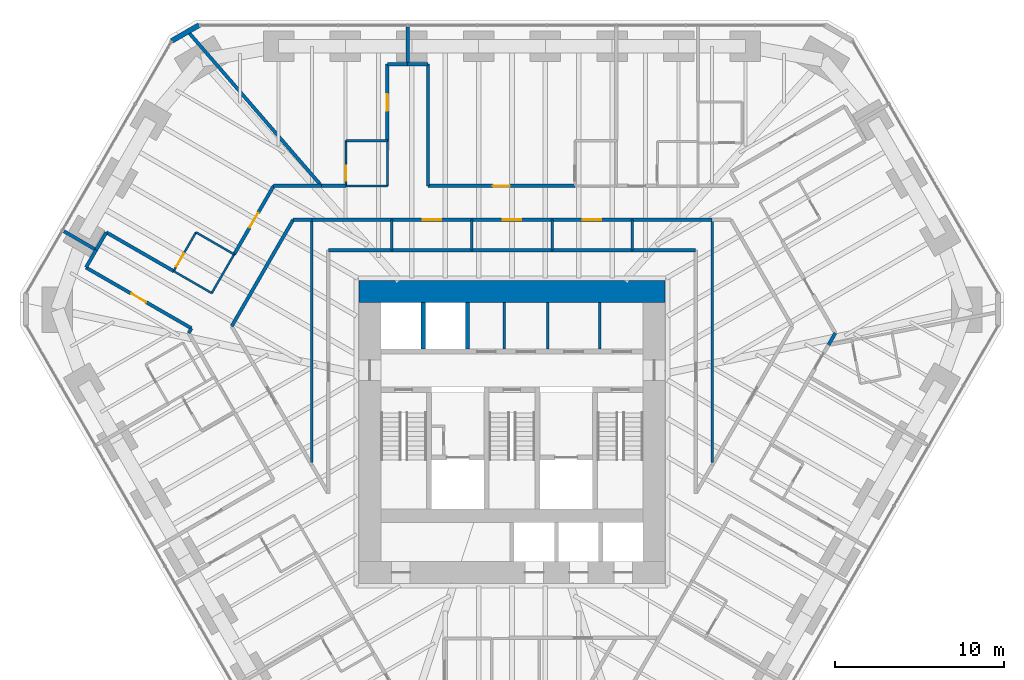
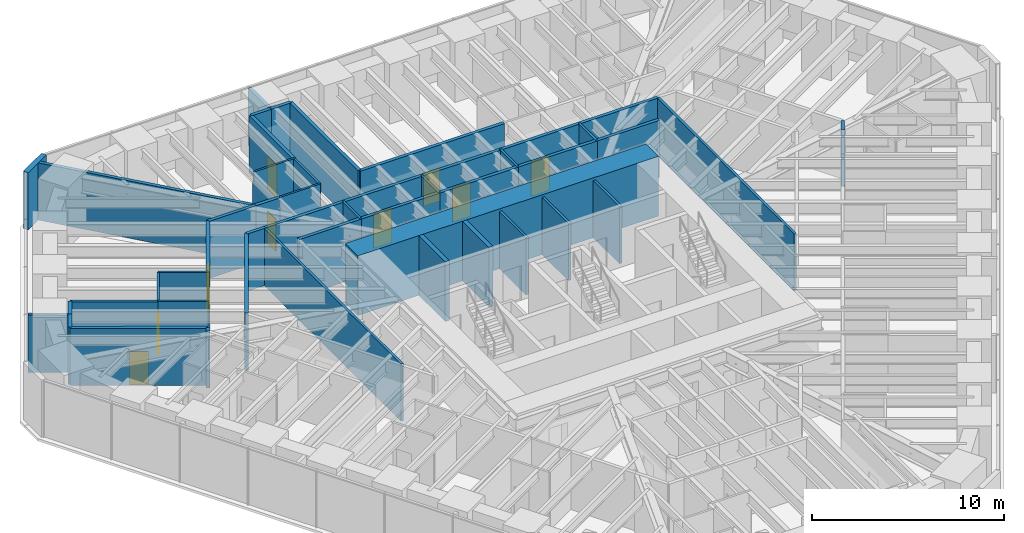
# One storey, part 14 of 17: 50 walls, 9 doors, 9 openings.
"""IFC4 building model written with IfcOpenShell, lengths in metres."""

from ifc_helpers import new_model, si_unit, direction, frame, frame_2d, origin, place, context, subcontext, project, spatial, rectangle, extrude, material, layer, layer_set, type_object, element, fill, save


model = new_model("IFC4")

# Units and contexts
model_context = context("Model", 3, precision=1e-05, world=origin(), true_north=direction((0.0, 1.0)))
body_context = subcontext(model_context, "Body", "Model", "MODEL_VIEW")
ifc_project = project(units=[si_unit("LENGTHUNIT", "METRE"), si_unit("AREAUNIT", "SQUARE_METRE"), si_unit("VOLUMEUNIT", "CUBIC_METRE"), si_unit("PLANEANGLEUNIT", "RADIAN"), si_unit("MASSUNIT", "GRAM", prefix="KILO")], contexts=[model_context])

# Site, building, storey
site_placement = place(None, origin())
site = spatial("IfcSite", under=ifc_project, at=site_placement, CompositionType="ELEMENT")
building_placement = place(site_placement, origin())
building = spatial("IfcBuilding", under=site, at=building_placement, Name="Sandreach Pilgrim Tower", CompositionType="ELEMENT")
storey_placement = place(building_placement, frame((0.0, 0.0, 112.0)))
storey = spatial("IfcBuildingStorey", under=building, at=storey_placement, Name="L27", CompositionType="ELEMENT", Elevation=112.0)

# Walls
ifc_material_1 = material(Name="Gypsum board on steel studs", Category="steel")
ifc_layer_1 = layer(ifc_material_1, 0.14990234375)
ifc_layer_set_1 = layer_set([ifc_layer_1], Name="Back of house wall 150")
wall_type_1 = type_object("IfcWallType", Name="Back of house wall 150", PredefinedType="PARTITIONING", material=ifc_layer_set_1)
wall_1_placement = place(storey_placement, frame((-11.830078125, 10.989990234375, 0.0), z_axis=(0.0, 0.0, 1.0), x_axis=(0.0, -1.0, 0.0)))
element("IfcWall", 1, at=wall_1_placement, inside=storey, type_object=wall_type_1, Name="Back of house wall L27-034", PredefinedType="PARTITIONING", context=body_context, shape_type="SweptSolid", body=[
    extrude(rectangle(XDim=14.3349609375, YDim=0.14990234375, at=frame_2d((7.16748046875, 0.0))), origin(), (0.0, 0.0, 1.0), 3.639892578125),
])
for number, where, z_axis, x_axis, name in (
    (2, (-7.10009765625, 10.989990234375, 0.0), (0.0, 0.0, 1.0), (0.0, -1.0, 0.0), "Back of house wall L27-054"),
    (3, (-2.3701171875, 10.989990234375, 0.0), (0.0, 0.0, 1.0), (0.0, -1.0, 0.0), "Back of house wall L27-075"),
    (4, (2.3701171875, 10.989990234375, 0.0), (0.0, 0.0, 1.0), (0.0, -1.0, 0.0), "Back of house wall L27-085"),
    (5, (7.10009765625, 10.989990234375, 0.0), (0.0, 0.0, 1.0), (0.0, -1.0, 0.0), "Back of house wall L27-104"),
):
    element("IfcWall", number, at=place(storey_placement, frame(where, z_axis=z_axis, x_axis=x_axis)), inside=storey, type_object=wall_type_1, Name=name, PredefinedType="PARTITIONING", context=body_context, shape_type="SweptSolid", body=[
        extrude(rectangle(XDim=1.7900390625, YDim=0.14990234375, at=frame_2d((0.89501953125, 0.0))), origin(), (0.0, 0.0, 1.0), 3.639892578125),
    ])
wall_2_placement = place(storey_placement, frame((11.830078125, 10.989990234375, 0.0), z_axis=(0.0, 0.0, 1.0), x_axis=(0.0, -1.0, 0.0)))
element("IfcWall", 6, at=wall_2_placement, inside=storey, type_object=wall_type_1, Name="Back of house wall L27-125", PredefinedType="PARTITIONING", context=body_context, shape_type="SweptSolid", body=[
    extrude(rectangle(XDim=14.3349609375, YDim=0.14990234375, at=frame_2d((7.16748046875, 0.0))), origin(), (0.0, 0.0, 1.0), 3.639892578125),
])
for number, where, z_axis, x_axis, name in (
    (7, (-0.449951171875, 3.35009765625, 0.0), (0.0, 0.0, 1.0), (0.0, 1.0, 0.0), "Core room partition L27 1"),
    (8, (2.112548828125, 3.35009765625, 0.0), (0.0, 0.0, 1.0), (0.0, 1.0, 0.0), "Core room partition L27 2"),
    (9, (5.1875, 3.35009765625, 0.0), (0.0, 0.0, 1.0), (0.0, 1.0, 0.0), "Core room partition L27 3"),
):
    element("IfcWall", number, at=place(storey_placement, frame(where, z_axis=z_axis, x_axis=x_axis)), inside=storey, type_object=wall_type_1, Name=name, PredefinedType="PARTITIONING", context=body_context, shape_type="SweptSolid", body=[
        extrude(rectangle(XDim=2.75, YDim=0.14990234375, at=frame_2d((1.375, 0.0))), origin(), (0.0, 0.0, 1.0), 3.639892578125),
    ])
ifc_material_2 = material(Name="Moisture-resistant gypsum board on steel studs", Category="steel")
ifc_layer_2 = layer(ifc_material_2, 0.1201171875)
ifc_layer_set_2 = layer_set([ifc_layer_2], Name="Bathroom partition 120")
wall_type_2 = type_object("IfcWallType", Name="Bathroom partition 120", PredefinedType="PARTITIONING", material=ifc_layer_set_2)
wall_3_placement = place(storey_placement, frame((-19.991455078125, 7.95751953125, 0.0), z_axis=(0.0, 0.0, 1.0), x_axis=(0.866404475641, -0.499342852747, 0.0)))
element("IfcWall", 10, at=wall_3_placement, inside=storey, type_object=wall_type_2, Name="Bathroom partition L27-009", PredefinedType="PARTITIONING", context=body_context, shape_type="SweptSolid", body=[
    extrude(rectangle(XDim=2.5986328125, YDim=0.1201171875, at=frame_2d((1.29931640625, 0.0))), origin(), (0.0, 0.0, 1.0), 3.639892578125),
])

# Wall, opening, door
wall_4_placement = place(storey_placement, frame((-18.669921875, 10.25, 0.0), z_axis=(0.0, 0.0, 1.0), x_axis=(-0.499407914056, -0.866366975004, 0.0)))
wall_4 = element("IfcWall", 11, at=wall_4_placement, inside=storey, type_object=wall_type_2, Name="Bathroom partition L27-016", PredefinedType="PARTITIONING", context=body_context, shape_type="SweptSolid", body=[
    extrude(rectangle(XDim=2.643310546875, YDim=0.1201171875, at=frame_2d((1.32177734375, 0.0))), origin(), (0.0, 0.0, 1.0), 3.639892578125),
])
opening_1_placement = place(wall_4_placement, frame((1.443115234375, 0.0, 0.0)))
opening_1 = element("IfcOpeningElement", 12, at=opening_1_placement, cuts=wall_4, Name="Opening D09-16B", PredefinedType="OPENING", context=body_context, shape_type="SweptSolid", body=[
    extrude(rectangle(XDim=0.89990234375, YDim=2.030029296875, at=frame_2d((0.449951171875, 1.01513671875))), frame((0.0, 0.06005859375, 0.0), z_axis=(0.0, -1.0, 0.0), x_axis=(1.0, 0.0, 0.0)), (0.0, 0.0, 1.0), 0.1201171875),
])
ifc_material_3 = material(Name="Timber door, steel frame", Category="steel")
door_type_1 = type_object("IfcDoorType", Name="Bathroom door", OperationType="SINGLE_SWING_LEFT", PredefinedType="DOOR", material=ifc_material_3)
door_1_placement = place(opening_1_placement, origin())
door_1 = element("IfcDoor", 13, at=door_1_placement, inside=storey, type_object=door_type_1, Name="Door 2716B", OperationType="SINGLE_SWING_RIGHT", OverallHeight=2.030029296875, OverallWidth=0.89990234375, PredefinedType="DOOR", context=body_context, shape_type="SweptSolid", body=[
    extrude(rectangle(XDim=0.89990234375, YDim=2.030029296875, at=frame_2d((0.449951171875, 1.01513671875))), frame((0.0, 0.02490234375, 0.0), z_axis=(0.0, -1.0, 0.0), x_axis=(1.0, 0.0, 0.0)), (0.0, 0.0, 1.0), 0.050048828125),
])
fill(opening_1, door_1)

# Walls
wall_5_placement = place(storey_placement, frame((-17.739990234375, 6.659912109375, 0.0), z_axis=(0.0, 0.0, 1.0), x_axis=(0.500519174073, 0.865725450929, 0.0)))
element("IfcWall", 14, at=wall_5_placement, inside=storey, type_object=wall_type_2, Name="Bathroom partition L27-020", PredefinedType="PARTITIONING", context=body_context, shape_type="SweptSolid", body=[
    extrude(rectangle(XDim=2.643310546875, YDim=0.1201171875, at=frame_2d((1.32177734375, 0.0))), origin(), (0.0, 0.0, 1.0), 3.639892578125),
])
wall_6_placement = place(storey_placement, frame((-16.419921875, 8.949951171875, 0.0), z_axis=(0.0, 0.0, 1.0), x_axis=(-0.865856933682, 0.500291685314, 0.0)))
element("IfcWall", 15, at=wall_6_placement, inside=storey, type_object=wall_type_2, Name="Bathroom partition L27-023", PredefinedType="PARTITIONING", context=body_context, shape_type="SweptSolid", body=[
    extrude(rectangle(XDim=2.5986328125, YDim=0.1201171875, at=frame_2d((1.29931640625, 0.0))), origin(), (0.0, 0.0, 1.0), 3.639892578125),
])

# Wall, opening, door
wall_7_placement = place(storey_placement, frame((-9.81005859375, 15.659912109375, 0.0), z_axis=(0.0, 0.0, 1.0), x_axis=(0.0, -1.0, 0.0)))
wall_7 = element("IfcWall", 16, at=wall_7_placement, inside=storey, type_object=wall_type_2, Name="Bathroom partition L27-045", PredefinedType="PARTITIONING", context=body_context, shape_type="SweptSolid", body=[
    extrude(rectangle(XDim=2.669921875, YDim=0.1201171875, at=frame_2d((1.3349609375, 0.0))), origin(), (0.0, 0.0, 1.0), 3.0380859375),
])
opening_2_placement = place(wall_7_placement, frame((1.469970703125, 0.0, 0.0)))
opening_2 = element("IfcOpeningElement", 17, at=opening_2_placement, cuts=wall_7, Name="Opening D09-01B", PredefinedType="OPENING", context=body_context, shape_type="SweptSolid", body=[
    extrude(rectangle(XDim=0.89990234375, YDim=2.030029296875, at=frame_2d((0.449951171875, 1.01513671875))), frame((0.0, 0.06005859375, 0.0), z_axis=(0.0, -1.0, 0.0), x_axis=(1.0, 0.0, 0.0)), (0.0, 0.0, 1.0), 0.1201171875),
])
door_2_placement = place(opening_2_placement, origin())
door_2 = element("IfcDoor", 18, at=door_2_placement, inside=storey, type_object=door_type_1, Name="Door 2701B", OperationType="SINGLE_SWING_RIGHT", OverallHeight=2.030029296875, OverallWidth=0.89990234375, PredefinedType="DOOR", context=body_context, shape_type="SweptSolid", body=[
    extrude(rectangle(XDim=0.89990234375, YDim=2.030029296875, at=frame_2d((0.449951171875, 1.01513671875))), frame((0.0, 0.02490234375, 0.0), z_axis=(0.0, -1.0, 0.0), x_axis=(1.0, 0.0, 0.0)), (0.0, 0.0, 1.0), 0.050048828125),
])
fill(opening_2, door_2)

# Walls
for number, where, z_axis, x_axis, name in (
    (19, (-7.360107421875, 12.989990234375, 0.0), (0.0, 0.0, 1.0), (-1.0, 0.0, 0.0), "Bathroom partition L27-049"),
    (20, (-7.360107421875, 15.659912109375, 0.0), (0.0, 0.0, 1.0), (-1.0, 0.0, 0.0), "Bathroom partition L27-050"),
):
    element("IfcWall", number, at=place(storey_placement, frame(where, z_axis=z_axis, x_axis=x_axis)), inside=storey, type_object=wall_type_2, Name=name, PredefinedType="PARTITIONING", context=body_context, shape_type="SweptSolid", body=[
        extrude(rectangle(XDim=2.449951171875, YDim=0.1201171875, at=frame_2d((1.22509765625, 0.0))), origin(), (0.0, 0.0, 1.0), 3.639892578125),
    ])
wall_8_placement = place(storey_placement, frame((-7.360107421875, 15.659912109375, 0.0), z_axis=(0.0, 0.0, 1.0), x_axis=(0.0, -1.0, 0.0)))
element("IfcWall", 21, at=wall_8_placement, inside=storey, type_object=wall_type_2, Name="Bathroom partition L27-051", PredefinedType="PARTITIONING", context=body_context, shape_type="SweptSolid", body=[
    extrude(rectangle(XDim=2.669921875, YDim=0.1201171875, at=frame_2d((1.3349609375, 0.0))), origin(), (0.0, 0.0, 1.0), 3.639892578125),
])
ifc_material_4 = material(Name="Concrete 10000 psi", Category="concrete")
ifc_layer_3 = layer(ifc_material_4, 1.300048828125)
ifc_layer_set_3 = layer_set([ifc_layer_3], Name="Core wall 1300")
wall_type_3 = type_object("IfcWallType", Name="Core wall 1300", PredefinedType="SHEAR", material=ifc_layer_set_3)
wall_9_placement = place(storey_placement, frame((-9.050048828125, 6.75, 0.0), z_axis=(0.0, 0.0, 1.0), x_axis=(1.0, 0.0, 0.0)))
element("IfcWall", 22, at=wall_9_placement, inside=storey, type_object=wall_type_3, Name="Core wall N L27", PredefinedType="SHEAR", context=body_context, shape_type="SweptSolid", body=[
    extrude(rectangle(XDim=18.10009765625, YDim=1.300048828125, at=frame_2d((9.050048828125, 0.0))), origin(), (0.0, 0.0, 1.0), 3.800048828125),
])

# Wall, opening, door
ifc_material_5 = material(Name="Gypsum board on steel studs, two layers each side", Category="steel")
ifc_layer_4 = layer(ifc_material_5, 0.199951171875)
ifc_layer_set_4 = layer_set([ifc_layer_4], Name="Corridor wall 200")
wall_type_4 = type_object("IfcWallType", Name="Corridor wall 200", PredefinedType="PARTITIONING", material=ifc_layer_set_4)
wall_10_placement = place(storey_placement, frame((-25.169921875, 8.169921875, 0.0), z_axis=(0.0, 0.0, 1.0), x_axis=(0.866448885678, -0.499265789443, 0.0)))
wall_10 = element("IfcWall", 23, at=wall_10_placement, inside=storey, type_object=wall_type_4, Name="Corridor wall L27-002", PredefinedType="PARTITIONING", context=body_context, shape_type="SweptSolid", body=[
    extrude(rectangle(XDim=7.190185546875, YDim=0.199951171875, at=frame_2d((3.59521484375, 0.0))), origin(), (0.0, 0.0, 1.0), 3.639892578125),
])
opening_3_placement = place(wall_10_placement, frame((3.09521484375, 0.0, 0.0)))
opening_3 = element("IfcOpeningElement", 24, at=opening_3_placement, cuts=wall_10, Name="Opening D10-15", PredefinedType="OPENING", context=body_context, shape_type="SweptSolid", body=[
    extrude(rectangle(XDim=1.0, YDim=2.1298828125, at=frame_2d((0.5, 1.06494140625))), frame((0.0, 0.10009765625, 0.0), z_axis=(0.0, -1.0, 0.0), x_axis=(1.0, 0.0, 0.0)), (0.0, 0.0, 1.0), 0.199951171875),
])
ifc_material_6 = material(Name="Steel door and frame", Category="steel")
door_type_2 = type_object("IfcDoorType", Name="Guest room entry door", OperationType="SINGLE_SWING_LEFT", PredefinedType="DOOR", material=ifc_material_6)
door_3_placement = place(opening_3_placement, origin())
door_3 = element("IfcDoor", 25, at=door_3_placement, inside=storey, type_object=door_type_2, Name="Door 2715", OperationType="SINGLE_SWING_LEFT", OverallHeight=2.1298828125, OverallWidth=1.0, PredefinedType="DOOR", context=body_context, shape_type="SweptSolid", body=[
    extrude(rectangle(XDim=1.0, YDim=2.1298828125, at=frame_2d((0.5, 1.06494140625))), frame((0.0, 0.02490234375, 0.0), z_axis=(0.0, -1.0, 0.0), x_axis=(1.0, 0.0, 0.0)), (0.0, 0.0, 1.0), 0.050048828125),
])
fill(opening_3, door_3)

# Walls
wall_11_placement = place(storey_placement, frame((-25.16259765625, 8.18310546875, 0.0), z_axis=(0.0, 0.0, 1.0), x_axis=(0.499793761865, 0.866144442689, 0.0)))
element("IfcWall", 26, at=wall_11_placement, inside=storey, type_object=wall_type_4, Name="Corridor wall L27-003", PredefinedType="PARTITIONING", context=body_context, shape_type="SweptSolid", body=[
    extrude(rectangle(XDim=1.185546875, YDim=0.199951171875, at=frame_2d((0.5927734375, 0.0))), origin(), (0.0, 0.0, 1.0), 3.639892578125),
])
wall_12_placement = place(storey_placement, frame((-24.570068359375, 9.2099609375, 0.0), z_axis=(0.0, 0.0, 1.0), x_axis=(0.499734288277, 0.866178758179, 0.0)))
element("IfcWall", 27, at=wall_12_placement, inside=storey, type_object=wall_type_4, Name="Corridor wall L27-004", PredefinedType="PARTITIONING", context=body_context, shape_type="SweptSolid", body=[
    extrude(rectangle(XDim=1.190673828125, YDim=0.199951171875, at=frame_2d((0.59521484375, 0.0))), origin(), (0.0, 0.0, 1.0), 3.639892578125),
])
wall_13_placement = place(storey_placement, frame((-23.969970703125, 10.25, 0.0), z_axis=(0.0, 0.0, 1.0), x_axis=(0.86645101645, -0.499262091585, 0.0)))
element("IfcWall", 28, at=wall_13_placement, inside=storey, type_object=wall_type_4, Name="Corridor wall L27-006", PredefinedType="PARTITIONING", context=body_context, shape_type="SweptSolid", body=[
    extrude(rectangle(XDim=4.591796875, YDim=0.199951171875, at=frame_2d((2.2958984375, 0.0))), origin(), (0.0, 0.0, 1.0), 3.639892578125),
])
wall_14_placement = place(storey_placement, frame((-18.945068359375, 4.5712890625, 0.0), z_axis=(0.0, 0.0, 1.0), x_axis=(-0.496223092577, -0.868195048588, 0.0)))
element("IfcWall", 29, at=wall_14_placement, inside=storey, type_object=wall_type_4, Name="Corridor wall L27-015", PredefinedType="PARTITIONING", context=body_context, shape_type="SweptSolid", body=[
    extrude(rectangle(XDim=0.3125, YDim=0.199951171875, at=frame_2d((0.15625, 0.0))), origin(), (0.0, 0.0, 1.0), 3.639892578125),
])
wall_15_placement = place(storey_placement, frame((-16.56005859375, 4.699951171875, 0.0), z_axis=(0.0, 0.0, 1.0), x_axis=(0.4998524389, 0.866110581465, 0.0)))
element("IfcWall", 30, at=wall_15_placement, inside=storey, type_object=wall_type_4, Name="Corridor wall L27-022", PredefinedType="PARTITIONING", context=body_context, shape_type="SweptSolid", body=[
    extrude(rectangle(XDim=7.262451171875, YDim=0.199951171875, at=frame_2d((3.63134765625, 0.0))), origin(), (0.0, 0.0, 1.0), 3.639892578125),
])

# Wall, opening, door
wall_16_placement = place(storey_placement, frame((-16.4169921875, 8.9482421875, 0.0), z_axis=(0.0, 0.0, 1.0), x_axis=(0.500547653499, 0.865708984923, 0.0)))
wall_16 = element("IfcWall", 31, at=wall_16_placement, inside=storey, type_object=wall_type_4, Name="Corridor wall L27-024", PredefinedType="PARTITIONING", context=body_context, shape_type="SweptSolid", body=[
    extrude(rectangle(XDim=4.668701171875, YDim=0.199951171875, at=frame_2d((2.33447265625, 0.0))), origin(), (0.0, 0.0, 1.0), 3.639892578125),
])
opening_4_placement = place(wall_16_placement, frame((1.834228515625, 0.0, 0.0)))
opening_4 = element("IfcOpeningElement", 32, at=opening_4_placement, cuts=wall_16, Name="Opening D10-16", PredefinedType="OPENING", context=body_context, shape_type="SweptSolid", body=[
    extrude(rectangle(XDim=1.0, YDim=2.1298828125, at=frame_2d((0.5, 1.06494140625))), frame((0.0, 0.10009765625, 0.0), z_axis=(0.0, -1.0, 0.0), x_axis=(1.0, 0.0, 0.0)), (0.0, 0.0, 1.0), 0.199951171875),
])
door_4_placement = place(opening_4_placement, origin())
door_4 = element("IfcDoor", 33, at=door_4_placement, inside=storey, type_object=door_type_2, Name="Door 2716", OperationType="SINGLE_SWING_LEFT", OverallHeight=2.1298828125, OverallWidth=1.0, PredefinedType="DOOR", context=body_context, shape_type="SweptSolid", body=[
    extrude(rectangle(XDim=1.0, YDim=2.1298828125, at=frame_2d((0.5, 1.06494140625))), frame((0.0, 0.02490234375, 0.0), z_axis=(0.0, -1.0, 0.0), x_axis=(1.0, 0.0, 0.0)), (0.0, 0.0, 1.0), 0.050048828125),
])
fill(opening_4, door_4)

# Walls
wall_17_placement = place(storey_placement, frame((-12.929931640625, 10.989990234375, 0.0), z_axis=(0.0, 0.0, 1.0), x_axis=(1.0, 0.0, 0.0)))
element("IfcWall", 34, at=wall_17_placement, inside=storey, type_object=wall_type_4, Name="Corridor wall L27-031", PredefinedType="PARTITIONING", context=body_context, shape_type="SweptSolid", body=[
    extrude(rectangle(XDim=1.099853515625, YDim=0.199951171875, at=frame_2d((0.5498046875, 0.0))), origin(), (0.0, 0.0, 1.0), 3.639892578125),
])
wall_18_placement = place(storey_placement, frame((-11.830078125, 10.989990234375, 0.0), z_axis=(0.0, 0.0, 1.0), x_axis=(1.0, 0.0, 0.0)))
element("IfcWall", 35, at=wall_18_placement, inside=storey, type_object=wall_type_4, Name="Corridor wall L27-035", PredefinedType="PARTITIONING", context=body_context, shape_type="SweptSolid", body=[
    extrude(rectangle(XDim=4.72998046875, YDim=0.199951171875, at=frame_2d((2.364990234375, 0.0))), origin(), (0.0, 0.0, 1.0), 3.639892578125),
])
wall_19_placement = place(storey_placement, frame((-11.25, 12.989990234375, 0.0), z_axis=(0.0, 0.0, 1.0), x_axis=(-1.0, 0.0, 0.0)))
element("IfcWall", 36, at=wall_19_placement, inside=storey, type_object=wall_type_4, Name="Corridor wall L27-040", PredefinedType="PARTITIONING", context=body_context, shape_type="SweptSolid", body=[
    extrude(rectangle(XDim=2.830078125, YDim=0.199951171875, at=frame_2d((1.4150390625, 0.0))), origin(), (0.0, 0.0, 1.0), 3.639892578125),
])
wall_20_placement = place(storey_placement, frame((-9.81005859375, 12.989990234375, 0.0), z_axis=(0.0, 0.0, 1.0), x_axis=(-1.0, 0.0, 0.0)))
element("IfcWall", 37, at=wall_20_placement, inside=storey, type_object=wall_type_4, Name="Corridor wall L27-044", PredefinedType="PARTITIONING", context=body_context, shape_type="SweptSolid", body=[
    extrude(rectangle(XDim=1.43994140625, YDim=0.199951171875, at=frame_2d((0.719970703125, 0.0))), origin(), (0.0, 0.0, 1.0), 3.639892578125),
])

# Wall, opening, door
wall_21_placement = place(storey_placement, frame((-7.360107421875, 20.179931640625, 0.0), z_axis=(0.0, 0.0, 1.0), x_axis=(0.0, -1.0, 0.0)))
wall_21 = element("IfcWall", 38, at=wall_21_placement, inside=storey, type_object=wall_type_4, Name="Corridor wall L27-052", PredefinedType="PARTITIONING", context=body_context, shape_type="SweptSolid", body=[
    extrude(rectangle(XDim=4.52001953125, YDim=0.199951171875, at=frame_2d((2.260009765625, 0.0))), origin(), (0.0, 0.0, 1.0), 3.639892578125),
])
opening_5_placement = place(wall_21_placement, frame((1.760009765625, 0.0, 0.0)))
opening_5 = element("IfcOpeningElement", 39, at=opening_5_placement, cuts=wall_21, Name="Opening D10-01", PredefinedType="OPENING", context=body_context, shape_type="SweptSolid", body=[
    extrude(rectangle(XDim=1.0, YDim=2.1298828125, at=frame_2d((0.5, 1.06494140625))), frame((0.0, 0.10009765625, 0.0), z_axis=(0.0, -1.0, 0.0), x_axis=(1.0, 0.0, 0.0)), (0.0, 0.0, 1.0), 0.199951171875),
])
door_5_placement = place(opening_5_placement, origin())
door_5 = element("IfcDoor", 40, at=door_5_placement, inside=storey, type_object=door_type_2, Name="Door 2701", OperationType="SINGLE_SWING_LEFT", OverallHeight=2.1298828125, OverallWidth=1.0, PredefinedType="DOOR", context=body_context, shape_type="SweptSolid", body=[
    extrude(rectangle(XDim=1.0, YDim=2.1298828125, at=frame_2d((0.5, 1.06494140625))), frame((0.0, 0.02490234375, 0.0), z_axis=(0.0, -1.0, 0.0), x_axis=(1.0, 0.0, 0.0)), (0.0, 0.0, 1.0), 0.050048828125),
])
fill(opening_5, door_5)

# Wall
wall_22_placement = place(storey_placement, frame((-7.10009765625, 9.199951171875, 0.0), z_axis=(0.0, 0.0, 1.0), x_axis=(-1.0, 0.0, 0.0)))
element("IfcWall", 41, at=wall_22_placement, inside=storey, type_object=wall_type_4, Name="Corridor wall L27-053", PredefinedType="PARTITIONING", context=body_context, shape_type="SweptSolid", body=[
    extrude(rectangle(XDim=3.739990234375, YDim=0.199951171875, at=frame_2d((1.8701171875, 0.0))), origin(), (0.0, 0.0, 1.0), 3.639892578125),
])

# Wall, opening, door
wall_23_placement = place(storey_placement, frame((-7.10009765625, 10.989990234375, 0.0), z_axis=(0.0, 0.0, 1.0), x_axis=(1.0, 0.0, 0.0)))
wall_23 = element("IfcWall", 42, at=wall_23_placement, inside=storey, type_object=wall_type_4, Name="Corridor wall L27-055", PredefinedType="PARTITIONING", context=body_context, shape_type="SweptSolid", body=[
    extrude(rectangle(XDim=4.72998046875, YDim=0.199951171875, at=frame_2d((2.364990234375, 0.0))), origin(), (0.0, 0.0, 1.0), 3.639892578125),
])
opening_6_placement = place(wall_23_placement, frame((1.81494140625, 0.0, 0.0)))
opening_6 = element("IfcOpeningElement", 43, at=opening_6_placement, cuts=wall_23, Name="Opening D11H-M03", PredefinedType="OPENING", context=body_context, shape_type="SweptSolid", body=[
    extrude(rectangle(XDim=1.10009765625, YDim=2.199951171875, at=frame_2d((0.550048828125, 1.10009765625))), frame((0.0, 0.10009765625, 0.0), z_axis=(0.0, -1.0, 0.0), x_axis=(1.0, 0.0, 0.0)), (0.0, 0.0, 1.0), 0.199951171875),
])
ifc_material_7 = material(Name="Steel door and frame", Category="steel")
door_type_3 = type_object("IfcDoorType", Name="Back of house door", OperationType="SINGLE_SWING_LEFT", PredefinedType="DOOR", material=ifc_material_7)
door_6_placement = place(opening_6_placement, origin())
door_6 = element("IfcDoor", 44, at=door_6_placement, inside=storey, type_object=door_type_3, Name="Door 27M03", OperationType="SINGLE_SWING_LEFT", OverallHeight=2.199951171875, OverallWidth=1.10009765625, PredefinedType="DOOR", context=body_context, shape_type="SweptSolid", body=[
    extrude(rectangle(XDim=1.10009765625, YDim=2.199951171875, at=frame_2d((0.550048828125, 1.10009765625))), frame((0.0, 0.02490234375, 0.0), z_axis=(0.0, -1.0, 0.0), x_axis=(1.0, 0.0, 0.0)), (0.0, 0.0, 1.0), 0.050048828125),
])
fill(opening_6, door_6)

# Walls
wall_24_placement = place(storey_placement, frame((-6.159912109375, 20.179931640625, 0.0), z_axis=(0.0, 0.0, 1.0), x_axis=(-1.0, 0.0, 0.0)))
element("IfcWall", 45, at=wall_24_placement, inside=storey, type_object=wall_type_4, Name="Corridor wall L27-059", PredefinedType="PARTITIONING", context=body_context, shape_type="SweptSolid", body=[
    extrude(rectangle(XDim=1.190185546875, YDim=0.199951171875, at=frame_2d((0.59521484375, 0.0))), origin(), (0.0, 0.0, 1.0), 3.639892578125),
])
wall_25_placement = place(storey_placement, frame((-4.969970703125, 20.179931640625, 0.0), z_axis=(0.0, 0.0, 1.0), x_axis=(-1.0, 0.0, 0.0)))
element("IfcWall", 46, at=wall_25_placement, inside=storey, type_object=wall_type_4, Name="Corridor wall L27-062", PredefinedType="PARTITIONING", context=body_context, shape_type="SweptSolid", body=[
    extrude(rectangle(XDim=1.18994140625, YDim=0.199951171875, at=frame_2d((0.594970703125, 0.0))), origin(), (0.0, 0.0, 1.0), 3.639892578125),
])
wall_26_placement = place(storey_placement, frame((-4.9599609375, 13.0, 0.0), z_axis=(0.0, 0.0, 1.0), x_axis=(0.0, 1.0, 0.0)))
element("IfcWall", 47, at=wall_26_placement, inside=storey, type_object=wall_type_4, Name="Corridor wall L27-063", PredefinedType="PARTITIONING", context=body_context, shape_type="SweptSolid", body=[
    extrude(rectangle(XDim=7.179931640625, YDim=0.199951171875, at=frame_2d((3.58984375, 0.0))), origin(), (0.0, 0.0, 1.0), 3.639892578125),
])
wall_27_placement = place(storey_placement, frame((-2.3701171875, 9.199951171875, 0.0), z_axis=(0.0, 0.0, 1.0), x_axis=(-1.0, 0.0, 0.0)))
element("IfcWall", 48, at=wall_27_placement, inside=storey, type_object=wall_type_4, Name="Corridor wall L27-074", PredefinedType="PARTITIONING", context=body_context, shape_type="SweptSolid", body=[
    extrude(rectangle(XDim=4.72998046875, YDim=0.199951171875, at=frame_2d((2.364990234375, 0.0))), origin(), (0.0, 0.0, 1.0), 3.639892578125),
])

# Wall, opening, door
wall_28_placement = place(storey_placement, frame((-2.3701171875, 10.989990234375, 0.0), z_axis=(0.0, 0.0, 1.0), x_axis=(1.0, 0.0, 0.0)))
wall_28 = element("IfcWall", 49, at=wall_28_placement, inside=storey, type_object=wall_type_4, Name="Corridor wall L27-076", PredefinedType="PARTITIONING", context=body_context, shape_type="SweptSolid", body=[
    extrude(rectangle(XDim=4.740234375, YDim=0.199951171875, at=frame_2d((2.3701171875, 0.0))), origin(), (0.0, 0.0, 1.0), 3.639892578125),
])
opening_7_placement = place(wall_28_placement, frame((1.820068359375, 0.0, 0.0)))
opening_7 = element("IfcOpeningElement", 50, at=opening_7_placement, cuts=wall_28, Name="Opening D11H-M04", PredefinedType="OPENING", context=body_context, shape_type="SweptSolid", body=[
    extrude(rectangle(XDim=1.10009765625, YDim=2.199951171875, at=frame_2d((0.550048828125, 1.10009765625))), frame((0.0, 0.10009765625, 0.0), z_axis=(0.0, -1.0, 0.0), x_axis=(1.0, 0.0, 0.0)), (0.0, 0.0, 1.0), 0.199951171875),
])
door_7_placement = place(opening_7_placement, origin())
door_7 = element("IfcDoor", 51, at=door_7_placement, inside=storey, type_object=door_type_3, Name="Door 27M04", OperationType="SINGLE_SWING_LEFT", OverallHeight=2.199951171875, OverallWidth=1.10009765625, PredefinedType="DOOR", context=body_context, shape_type="SweptSolid", body=[
    extrude(rectangle(XDim=1.10009765625, YDim=2.199951171875, at=frame_2d((0.550048828125, 1.10009765625))), frame((0.0, 0.02490234375, 0.0), z_axis=(0.0, -1.0, 0.0), x_axis=(1.0, 0.0, 0.0)), (0.0, 0.0, 1.0), 0.050048828125),
])
fill(opening_7, door_7)

# Wall
wall_29_placement = place(storey_placement, frame((2.3701171875, 9.199951171875, 0.0), z_axis=(0.0, 0.0, 1.0), x_axis=(-1.0, 0.0, 0.0)))
element("IfcWall", 52, at=wall_29_placement, inside=storey, type_object=wall_type_4, Name="Corridor wall L27-084", PredefinedType="PARTITIONING", context=body_context, shape_type="SweptSolid", body=[
    extrude(rectangle(XDim=4.740234375, YDim=0.199951171875, at=frame_2d((2.3701171875, 0.0))), origin(), (0.0, 0.0, 1.0), 3.639892578125),
])

# Wall, opening, door
wall_30_placement = place(storey_placement, frame((2.3701171875, 10.989990234375, 0.0), z_axis=(0.0, 0.0, 1.0), x_axis=(1.0, 0.0, 0.0)))
wall_30 = element("IfcWall", 53, at=wall_30_placement, inside=storey, type_object=wall_type_4, Name="Corridor wall L27-086", PredefinedType="PARTITIONING", context=body_context, shape_type="SweptSolid", body=[
    extrude(rectangle(XDim=4.72998046875, YDim=0.199951171875, at=frame_2d((2.364990234375, 0.0))), origin(), (0.0, 0.0, 1.0), 3.639892578125),
])
opening_8_placement = place(wall_30_placement, frame((1.81494140625, 0.0, 0.0)))
opening_8 = element("IfcOpeningElement", 54, at=opening_8_placement, cuts=wall_30, Name="Opening D11H-M05", PredefinedType="OPENING", context=body_context, shape_type="SweptSolid", body=[
    extrude(rectangle(XDim=1.10009765625, YDim=2.199951171875, at=frame_2d((0.550048828125, 1.10009765625))), frame((0.0, 0.10009765625, 0.0), z_axis=(0.0, -1.0, 0.0), x_axis=(1.0, 0.0, 0.0)), (0.0, 0.0, 1.0), 0.199951171875),
])
door_8_placement = place(opening_8_placement, origin())
door_8 = element("IfcDoor", 55, at=door_8_placement, inside=storey, type_object=door_type_3, Name="Door 27M05", OperationType="SINGLE_SWING_LEFT", OverallHeight=2.199951171875, OverallWidth=1.10009765625, PredefinedType="DOOR", context=body_context, shape_type="SweptSolid", body=[
    extrude(rectangle(XDim=1.10009765625, YDim=2.199951171875, at=frame_2d((0.550048828125, 1.10009765625))), frame((0.0, 0.02490234375, 0.0), z_axis=(0.0, -1.0, 0.0), x_axis=(1.0, 0.0, 0.0)), (0.0, 0.0, 1.0), 0.050048828125),
])
fill(opening_8, door_8)

wall_31_placement = place(storey_placement, frame((3.7099609375, 12.989990234375, 0.0), z_axis=(0.0, 0.0, 1.0), x_axis=(-1.0, 0.0, 0.0)))
wall_31 = element("IfcWall", 56, at=wall_31_placement, inside=storey, type_object=wall_type_4, Name="Corridor wall L27-089", PredefinedType="PARTITIONING", context=body_context, shape_type="SweptSolid", body=[
    extrude(rectangle(XDim=8.669921875, YDim=0.199951171875, at=frame_2d((4.3349609375, 0.0))), origin(), (0.0, 0.0, 1.0), 3.639892578125),
])
opening_9_placement = place(wall_31_placement, frame((3.8349609375, 0.0, 0.0)))
opening_9 = element("IfcOpeningElement", 57, at=opening_9_placement, cuts=wall_31, Name="Opening D10-02", PredefinedType="OPENING", context=body_context, shape_type="SweptSolid", body=[
    extrude(rectangle(XDim=1.0, YDim=2.1298828125, at=frame_2d((0.5, 1.06494140625))), frame((0.0, 0.10009765625, 0.0), z_axis=(0.0, -1.0, 0.0), x_axis=(1.0, 0.0, 0.0)), (0.0, 0.0, 1.0), 0.199951171875),
])
door_9_placement = place(opening_9_placement, origin())
door_9 = element("IfcDoor", 58, at=door_9_placement, inside=storey, type_object=door_type_2, Name="Door 2702", OperationType="SINGLE_SWING_LEFT", OverallHeight=2.1298828125, OverallWidth=1.0, PredefinedType="DOOR", context=body_context, shape_type="SweptSolid", body=[
    extrude(rectangle(XDim=1.0, YDim=2.1298828125, at=frame_2d((0.5, 1.06494140625))), frame((0.0, 0.02490234375, 0.0), z_axis=(0.0, -1.0, 0.0), x_axis=(1.0, 0.0, 0.0)), (0.0, 0.0, 1.0), 0.050048828125),
])
fill(opening_9, door_9)

# Walls
for number, where, z_axis, x_axis, name in (
    (59, (7.10009765625, 9.199951171875, 0.0), (0.0, 0.0, 1.0), (-1.0, 0.0, 0.0), "Corridor wall L27-103"),
    (60, (7.10009765625, 10.989990234375, 0.0), (0.0, 0.0, 1.0), (1.0, 0.0, 0.0), "Corridor wall L27-105"),
):
    element("IfcWall", number, at=place(storey_placement, frame(where, z_axis=z_axis, x_axis=x_axis)), inside=storey, type_object=wall_type_4, Name=name, PredefinedType="PARTITIONING", context=body_context, shape_type="SweptSolid", body=[
        extrude(rectangle(XDim=4.72998046875, YDim=0.199951171875, at=frame_2d((2.364990234375, 0.0))), origin(), (0.0, 0.0, 1.0), 3.639892578125),
    ])
wall_32_placement = place(storey_placement, frame((10.840087890625, 9.199951171875, 0.0), z_axis=(0.0, 0.0, 1.0), x_axis=(-1.0, 0.0, 0.0)))
element("IfcWall", 61, at=wall_32_placement, inside=storey, type_object=wall_type_4, Name="Corridor wall L27-114", PredefinedType="PARTITIONING", context=body_context, shape_type="SweptSolid", body=[
    extrude(rectangle(XDim=3.739990234375, YDim=0.199951171875, at=frame_2d((1.8701171875, 0.0))), origin(), (0.0, 0.0, 1.0), 3.639892578125),
])
wall_33_placement = place(storey_placement, frame((18.699951171875, 3.60009765625, 0.0), z_axis=(0.0, 0.0, 1.0), x_axis=(0.496301979961, 0.868149955185, 0.0)))
element("IfcWall", 62, at=wall_33_placement, inside=storey, type_object=wall_type_4, Name="Corridor wall L27-148", PredefinedType="PARTITIONING", context=body_context, shape_type="SweptSolid", body=[
    extrude(rectangle(XDim=0.80615234375, YDim=0.199951171875, at=frame_2d((0.403076171875, 0.0))), origin(), (0.0, 0.0, 1.0), 3.639892578125),
])
ifc_material_8 = material(Name="Double steel stud acoustic wall, gypsum board", Category="steel")
ifc_layer_5 = layer(ifc_material_8, 0.199951171875)
ifc_layer_set_5 = layer_set([ifc_layer_5], Name="Party wall 200")
wall_type_5 = type_object("IfcWallType", Name="Party wall 200", PredefinedType="PARTITIONING", material=ifc_layer_set_5)
wall_34_placement = place(storey_placement, frame((-26.46630859375, 10.309814453125, 0.0), z_axis=(0.0, 0.0, 1.0), x_axis=(0.865037029405, -0.501708020425, 0.0)))
element("IfcWall", 63, at=wall_34_placement, inside=storey, type_object=wall_type_5, Name="Party wall L27-001", PredefinedType="PARTITIONING", context=body_context, shape_type="SweptSolid", body=[
    extrude(rectangle(XDim=2.17724609375, YDim=0.199951171875, at=frame_2d((1.088623046875, 0.0))), origin(), (0.0, 0.0, 1.0), 3.639892578125),
])
wall_35_placement = place(storey_placement, frame((-11.335205078125, 13.08837890625, 0.0), z_axis=(0.0, 0.0, 1.0), x_axis=(-0.654526953183, 0.75603866803, 0.0)))
element("IfcWall", 64, at=wall_35_placement, inside=storey, type_object=wall_type_5, Name="Party wall L27-037", PredefinedType="PARTITIONING", context=body_context, shape_type="SweptSolid", body=[
    extrude(rectangle(XDim=11.95556640625, YDim=0.199951171875, at=frame_2d((5.977783203125, 0.0))), origin(), (0.0, 0.0, 1.0), 3.639892578125),
])
wall_36_placement = place(storey_placement, frame((-6.159912109375, 22.3701171875, 0.0), z_axis=(0.0, 0.0, 1.0), x_axis=(0.0, -1.0, 0.0)))
element("IfcWall", 65, at=wall_36_placement, inside=storey, type_object=wall_type_5, Name="Party wall L27-060", PredefinedType="PARTITIONING", context=body_context, shape_type="SweptSolid", body=[
    extrude(rectangle(XDim=2.18017578125, YDim=0.199951171875, at=frame_2d((1.090087890625, 0.0))), origin(), (0.0, 0.0, 1.0), 3.639892578125),
])
ifc_material_9 = material(Name="Gypsum shaft wall on steel studs, two layers of shaft liner board", Category="steel")
ifc_layer_6 = layer(ifc_material_9, 0.25)
ifc_layer_set_6 = layer_set([ifc_layer_6], Name="Shaft partition 250")
wall_type_6 = type_object("IfcWallType", Name="Shaft partition 250", PredefinedType="PARTITIONING", material=ifc_layer_set_6)
for number, where, z_axis, x_axis, name in (
    (66, (-5.25, 3.35009765625, 0.0), (0.0, 0.0, 1.0), (0.0, 1.0, 0.0), "Shaft partition NS0 L27"),
    (67, (-2.625, 3.35009765625, 0.0), (0.0, 0.0, 1.0), (0.0, 1.0, 0.0), "Shaft partition NS1 L27"),
):
    element("IfcWall", number, at=place(storey_placement, frame(where, z_axis=z_axis, x_axis=x_axis)), inside=storey, type_object=wall_type_6, Name=name, PredefinedType="PARTITIONING", context=body_context, shape_type="SweptSolid", body=[
        extrude(rectangle(XDim=2.75, YDim=0.25, at=frame_2d((1.375, 0.0))), origin(), (0.0, 0.0, 1.0), 3.800048828125),
    ])
ifc_material_10 = material(Name="Terracotta rainscreen on concrete", Category="masonry")
ifc_layer_7 = layer(ifc_material_10, 0.300048828125)
ifc_layer_set_7 = layer_set([ifc_layer_7], Name="Terracotta chamfer pier")
wall_type_7 = type_object("IfcWallType", Name="Terracotta chamfer pier", PredefinedType="SOLIDWALL", material=ifc_layer_set_7)
wall_37_placement = place(storey_placement, frame((-20.109619140625, 21.5537109375, 0.0), z_axis=(0.0, 0.0, 1.0), x_axis=(0.865988793993, 0.500063404658, 0.0)))
element("IfcWall", 68, at=wall_37_placement, inside=storey, type_object=wall_type_7, Name="Chamfer pier L27 NW", PredefinedType="SOLIDWALL", context=body_context, shape_type="SweptSolid", body=[
    extrude(rectangle(XDim=1.880126953125, YDim=0.300048828125, at=frame_2d((0.93994140625, 0.0))), origin(), (0.0, 0.0, 1.0), 3.639892578125),
])

save(model, "model.ifc")
